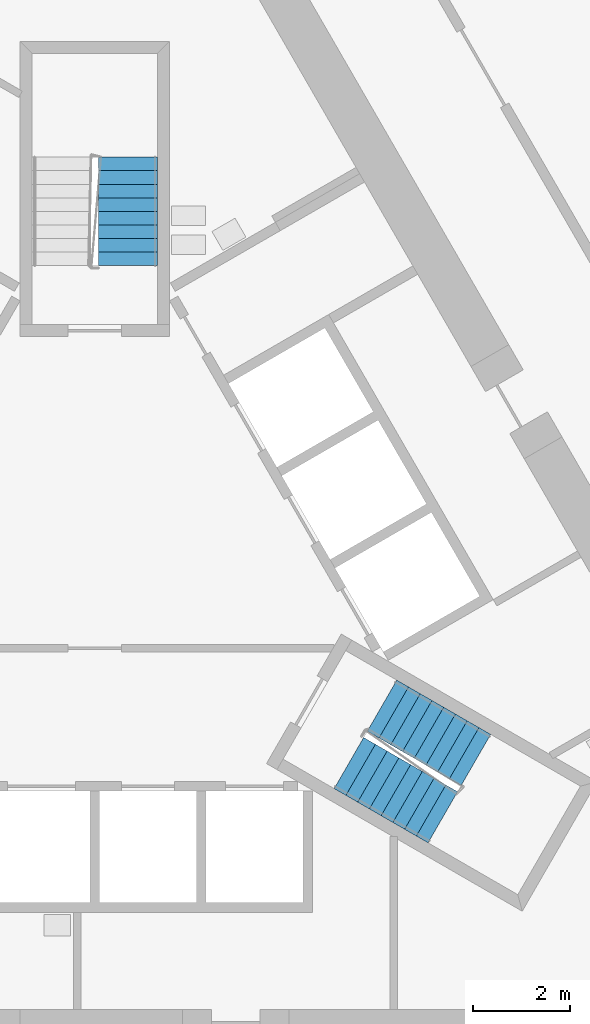
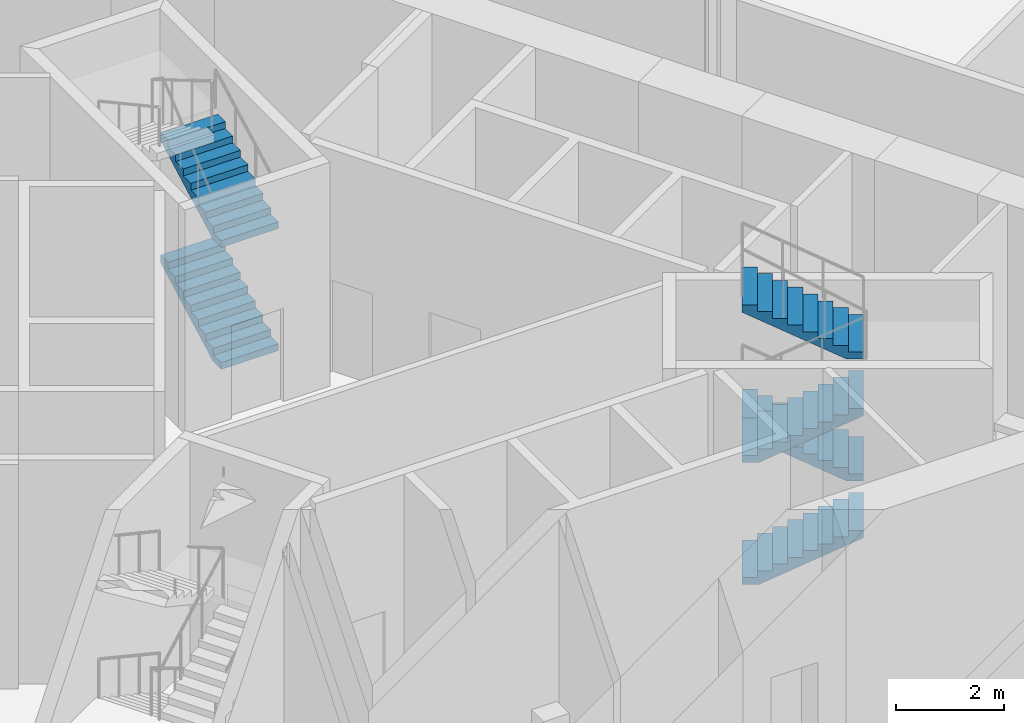
# One storey, part 6 of 9: 6 stair flights, 2 elements without a shape of their own.
"""IFC4 building model written with IfcOpenShell, lengths in metres."""

from ifc_helpers import new_model, si_unit, direction, frame, origin, place, context, subcontext, project, spatial, polyline, outline, extrude, material, type_object, element, aggregate, save


model = new_model("IFC4")

# Units and contexts
model_context = context("Model", 3, precision=1e-05, world=origin(), true_north=direction((0.0, 1.0)))
body_context = subcontext(model_context, "Body", "Model", "MODEL_VIEW")
ifc_project = project(units=[si_unit("LENGTHUNIT", "METRE"), si_unit("AREAUNIT", "SQUARE_METRE"), si_unit("VOLUMEUNIT", "CUBIC_METRE"), si_unit("PLANEANGLEUNIT", "RADIAN"), si_unit("MASSUNIT", "GRAM", prefix="KILO")], contexts=[model_context])

# Site, building, storey
site_placement = place(None, origin())
site = spatial("IfcSite", under=ifc_project, at=site_placement, CompositionType="ELEMENT")
building_placement = place(site_placement, origin())
building = spatial("IfcBuilding", under=site, at=building_placement, Name="Cormorant Prow Tower", CompositionType="ELEMENT")
storey_placement = place(building_placement, frame((0.0, 0.0, 15.5)))
storey = spatial("IfcBuildingStorey", under=building, at=storey_placement, Name="L02", CompositionType="ELEMENT", Elevation=15.5)

# Stair, stair flights
ifc_material_1 = material(Name="Exit stair 36 risers")
stair_type = type_object("IfcStairType", Name="Exit stair 36 risers", PredefinedType="HALF_TURN_STAIR", material=ifc_material_1)
stair_1_placement = place(storey_placement, origin())
stair_1 = element("IfcStair", 1, at=stair_1_placement, inside=storey, type_object=stair_type, Name="L02 Exit stair ST2", PredefinedType="HALF_TURN_STAIR")
ifc_material_2 = material(Name="Concrete 5000 psi", Category="concrete")
stair_flight_type = type_object("IfcStairFlightType", Name="Stair flight 1219", PredefinedType="STRAIGHT", material=ifc_material_2)
stair_flight_1_placement = place(storey_placement, frame((5.24853515625, -3.82080078125, 0.0), z_axis=(0.0, 0.0, 1.0), x_axis=(0.866025403784, -0.5, 0.0)))
stair_flight_1 = element("IfcStairFlight", 2, at=stair_flight_1_placement, type_object=stair_flight_type, Name="ST2 flight 1", NumberOfRisers=9, NumberOfTreads=8, PredefinedType="STRAIGHT", RiserHeight=0.152777778, TreadLength=0.28, context=body_context, shape_type="SweptSolid", body=[
    extrude(outline(polyline([(0.0, 0.0), (0.0, 0.15283203125), (0.280029296875, 0.15283203125), (0.280029296875, 0.3056640625), (0.56005859375, 0.3056640625), (0.56005859375, 0.458251953125), (0.840087890625, 0.458251953125), (0.840087890625, 0.611083984375), (1.1201171875, 0.611083984375), (1.1201171875, 0.763916015625), (1.39990234375, 0.763916015625), (1.39990234375, 0.916748046875), (1.679931640625, 0.916748046875), (1.679931640625, 1.0693359375), (1.9599609375, 1.0693359375), (1.9599609375, 1.22216796875), (2.239990234375, 1.22216796875), (2.239990234375, 1.375), (2.239990234375, 1.051513671875), (0.31298828125, 0.0), (0.0, 0.0)])), frame((0.0, 0.609375, 0.0), z_axis=(0.0, -1.0, 0.0), x_axis=(1.0, 0.0, 0.0)), (0.0, 0.0, 1.0), 1.218994140625),
])
stair_flight_2_placement = place(storey_placement, frame((7.873046875, -3.755126953125, 1.375), z_axis=(0.0, 0.0, 1.0), x_axis=(-0.866025403784, 0.5, 0.0)))
stair_flight_2 = element("IfcStairFlight", 3, at=stair_flight_2_placement, type_object=stair_flight_type, Name="ST2 flight 2", NumberOfRisers=9, NumberOfTreads=8, PredefinedType="STRAIGHT", RiserHeight=0.152777778, TreadLength=0.28, context=body_context, shape_type="SweptSolid", body=[
    extrude(outline(polyline([(0.0, 0.0), (0.0, 0.15283203125), (0.280029296875, 0.15283203125), (0.280029296875, 0.3056640625), (0.56005859375, 0.3056640625), (0.56005859375, 0.458251953125), (0.840087890625, 0.458251953125), (0.840087890625, 0.611083984375), (1.1201171875, 0.611083984375), (1.1201171875, 0.763916015625), (1.39990234375, 0.763916015625), (1.39990234375, 0.916748046875), (1.679931640625, 0.916748046875), (1.679931640625, 1.0693359375), (1.9599609375, 1.0693359375), (1.9599609375, 1.22216796875), (2.239990234375, 1.22216796875), (2.239990234375, 1.375), (2.239990234375, 1.051513671875), (0.31298828125, 0.0), (0.0, 0.0)])), frame((0.0, 0.609375, 0.0), z_axis=(0.0, -1.0, 0.0), x_axis=(1.0, 0.0, 0.0)), (0.0, 0.0, 1.0), 1.218994140625),
])
stair_flight_3_placement = place(storey_placement, frame((5.24853515625, -3.82080078125, 2.75), z_axis=(0.0, 0.0, 1.0), x_axis=(0.866025403784, -0.5, 0.0)))
stair_flight_3 = element("IfcStairFlight", 4, at=stair_flight_3_placement, type_object=stair_flight_type, Name="ST2 flight 3", NumberOfRisers=9, NumberOfTreads=8, PredefinedType="STRAIGHT", RiserHeight=0.152777778, TreadLength=0.28, context=body_context, shape_type="SweptSolid", body=[
    extrude(outline(polyline([(0.0, 0.0), (0.0, 0.15283203125), (0.280029296875, 0.15283203125), (0.280029296875, 0.3056640625), (0.56005859375, 0.3056640625), (0.56005859375, 0.458251953125), (0.840087890625, 0.458251953125), (0.840087890625, 0.611083984375), (1.1201171875, 0.611083984375), (1.1201171875, 0.763916015625), (1.39990234375, 0.763916015625), (1.39990234375, 0.916748046875), (1.679931640625, 0.916748046875), (1.679931640625, 1.0693359375), (1.9599609375, 1.0693359375), (1.9599609375, 1.22216796875), (2.239990234375, 1.22216796875), (2.239990234375, 1.375), (2.239990234375, 1.051513671875), (0.31298828125, 0.0), (0.0, 0.0)])), frame((0.0, 0.609375, 0.0), z_axis=(0.0, -1.0, 0.0), x_axis=(1.0, 0.0, 0.0)), (0.0, 0.0, 1.0), 1.218994140625),
])
stair_flight_4_placement = place(storey_placement, frame((7.873046875, -3.755126953125, 4.125), z_axis=(0.0, 0.0, 1.0), x_axis=(-0.866025403784, 0.5, 0.0)))
stair_flight_4 = element("IfcStairFlight", 5, at=stair_flight_4_placement, type_object=stair_flight_type, Name="ST2 flight 4", NumberOfRisers=9, NumberOfTreads=8, PredefinedType="STRAIGHT", RiserHeight=0.152777778, TreadLength=0.28, context=body_context, shape_type="SweptSolid", body=[
    extrude(outline(polyline([(0.0, 0.0), (0.0, 0.15283203125), (0.280029296875, 0.15283203125), (0.280029296875, 0.3056640625), (0.56005859375, 0.3056640625), (0.56005859375, 0.458251953125), (0.840087890625, 0.458251953125), (0.840087890625, 0.611083984375), (1.1201171875, 0.611083984375), (1.1201171875, 0.763916015625), (1.39990234375, 0.763916015625), (1.39990234375, 0.916748046875), (1.679931640625, 0.916748046875), (1.679931640625, 1.0693359375), (1.9599609375, 1.0693359375), (1.9599609375, 1.22216796875), (2.239990234375, 1.22216796875), (2.239990234375, 1.375), (2.239990234375, 1.051513671875), (0.31298828125, 0.0), (0.0, 0.0)])), frame((0.0, 0.609375, 0.0), z_axis=(0.0, -1.0, 0.0), x_axis=(1.0, 0.0, 0.0)), (0.0, 0.0, 1.0), 1.218994140625),
])
aggregate(stair_1, [stair_flight_1, stair_flight_2, stair_flight_3, stair_flight_4])

stair_2_placement = place(storey_placement, origin())
stair_2 = element("IfcStair", 6, at=stair_2_placement, inside=storey, type_object=stair_type, Name="L02 Exit stair ST3", PredefinedType="HALF_TURN_STAIR")
stair_flight_5_placement = place(storey_placement, frame((0.6845703125, 6.455810546875, 0.0), z_axis=(0.0, 0.0, 1.0), x_axis=(0.0, 1.0, 0.0)))
stair_flight_5 = element("IfcStairFlight", 7, at=stair_flight_5_placement, type_object=stair_flight_type, Name="ST3 flight 1", NumberOfRisers=9, NumberOfTreads=8, PredefinedType="STRAIGHT", RiserHeight=0.152777778, TreadLength=0.28, context=body_context, shape_type="SweptSolid", body=[
    extrude(outline(polyline([(0.0, 0.0), (0.0, 0.15283203125), (0.280029296875, 0.15283203125), (0.280029296875, 0.3056640625), (0.56005859375, 0.3056640625), (0.56005859375, 0.458251953125), (0.840087890625, 0.458251953125), (0.840087890625, 0.611083984375), (1.1201171875, 0.611083984375), (1.1201171875, 0.763916015625), (1.39990234375, 0.763916015625), (1.39990234375, 0.916748046875), (1.679931640625, 0.916748046875), (1.679931640625, 1.0693359375), (1.9599609375, 1.0693359375), (1.9599609375, 1.22216796875), (2.239990234375, 1.22216796875), (2.239990234375, 1.375), (2.239990234375, 1.051513671875), (0.31298828125, 0.0), (0.0, 0.0)])), frame((0.0, 0.609375, 0.0), z_axis=(0.0, -1.0, 0.0), x_axis=(1.0, 0.0, 0.0)), (0.0, 0.0, 1.0), 1.218994140625),
])
stair_flight_6_placement = place(storey_placement, frame((0.6845703125, 6.455810546875, 2.75), z_axis=(0.0, 0.0, 1.0), x_axis=(0.0, 1.0, 0.0)))
stair_flight_6 = element("IfcStairFlight", 8, at=stair_flight_6_placement, type_object=stair_flight_type, Name="ST3 flight 3", NumberOfRisers=9, NumberOfTreads=8, PredefinedType="STRAIGHT", RiserHeight=0.152777778, TreadLength=0.28, context=body_context, shape_type="SweptSolid", body=[
    extrude(outline(polyline([(0.0, 0.0), (0.0, 0.15283203125), (0.280029296875, 0.15283203125), (0.280029296875, 0.3056640625), (0.56005859375, 0.3056640625), (0.56005859375, 0.458251953125), (0.840087890625, 0.458251953125), (0.840087890625, 0.611083984375), (1.1201171875, 0.611083984375), (1.1201171875, 0.763916015625), (1.39990234375, 0.763916015625), (1.39990234375, 0.916748046875), (1.679931640625, 0.916748046875), (1.679931640625, 1.0693359375), (1.9599609375, 1.0693359375), (1.9599609375, 1.22216796875), (2.239990234375, 1.22216796875), (2.239990234375, 1.375), (2.239990234375, 1.051513671875), (0.31298828125, 0.0), (0.0, 0.0)])), frame((0.0, 0.609375, 0.0), z_axis=(0.0, -1.0, 0.0), x_axis=(1.0, 0.0, 0.0)), (0.0, 0.0, 1.0), 1.218994140625),
])
aggregate(stair_2, [stair_flight_5, stair_flight_6])

save(model, "model.ifc")
